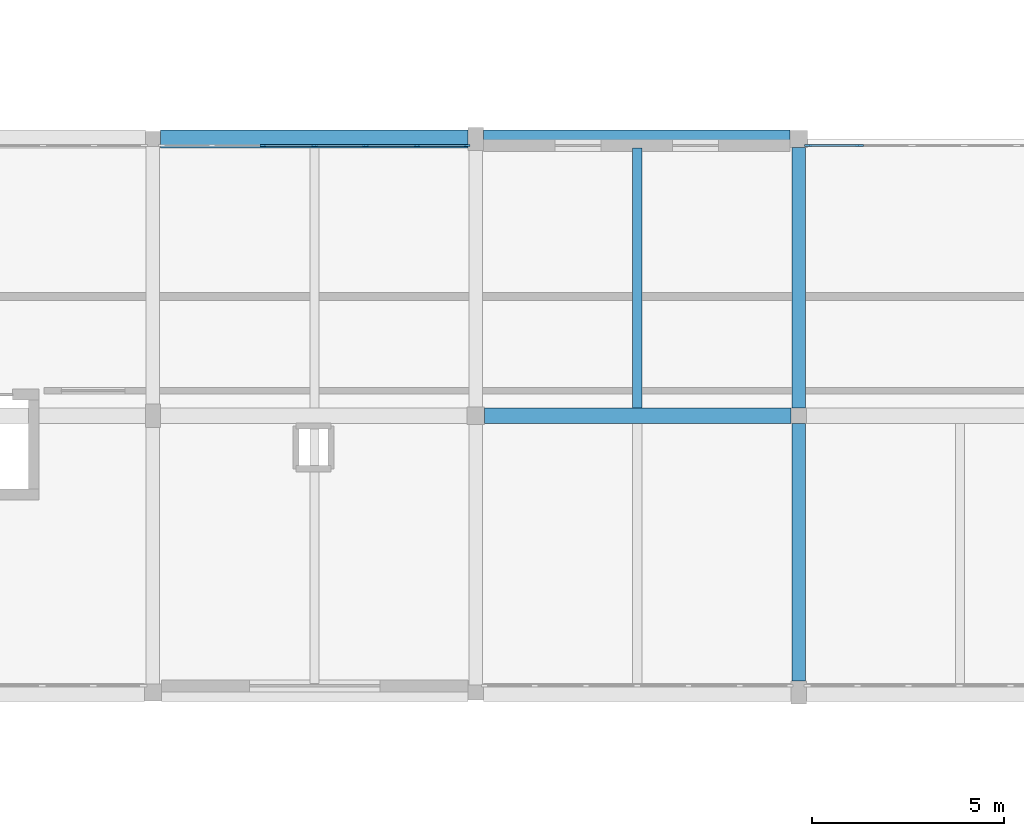
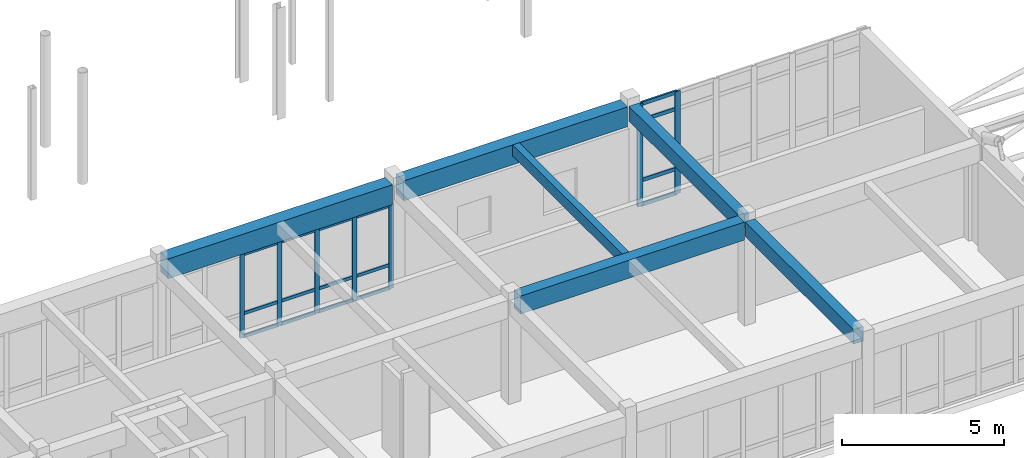
# One storey, part 46 of 89: 23 members, 6 beams, 2 elements without a shape of their own.
"""IFC4 building model written with IfcOpenShell, lengths in metres."""

from ifc_helpers import new_model, si_unit, direction, frame, origin, origin_2d, place, context, subcontext, project, spatial, rectangle, extrude, material, material_profile, profile_set, type_object, element, aggregate, save


model = new_model("IFC4")

# Units and contexts
model_context = context("Model", 3, precision=1e-05, world=origin(), true_north=direction((0.0, 1.0)))
body_context = subcontext(model_context, "Body", "Model", "MODEL_VIEW")
ifc_project = project(units=[si_unit("LENGTHUNIT", "METRE"), si_unit("AREAUNIT", "SQUARE_METRE"), si_unit("VOLUMEUNIT", "CUBIC_METRE"), si_unit("PLANEANGLEUNIT", "RADIAN"), si_unit("MASSUNIT", "GRAM", prefix="KILO")], contexts=[model_context])

# Site, building, storey
site_placement = place(None, origin())
site = spatial("IfcSite", under=ifc_project, at=site_placement, CompositionType="ELEMENT")
building_placement = place(site_placement, origin())
building = spatial("IfcBuilding", under=site, at=building_placement, Name="Malvenik Polytechnic", CompositionType="ELEMENT")
storey_placement = place(building_placement, frame((0.0, 0.0, 13.5)))
storey = spatial("IfcBuildingStorey", under=building, at=storey_placement, Name="L03", CompositionType="ELEMENT", Elevation=13.5)

# Curtain wall, members
ifc_material_1 = material(Name="Anodised aluminium 6060-T6", Category="aluminium")
curtain_wall_type_1 = type_object("IfcCurtainWallType", Name="ARC-CW-CW-02", PredefinedType="NOTDEFINED", material=ifc_material_1)
curtain_wall_1_placement = place(storey_placement, origin())
curtain_wall_1 = element("IfcCurtainWall", 1, at=curtain_wall_1_placement, inside=storey, type_object=curtain_wall_type_1, Name="Unitised Curtain Wall CW-02 L03 #191", PredefinedType="NOTDEFINED")
ifc_material_2 = material(Name="Anodised aluminium", Category="aluminium")
ifc_material_profile_1 = material_profile(ifc_material_2, rectangle(XDim=0.06005859375, YDim=0.159912109375, at=origin_2d()), Name="ALU MULLION 60x160")
ifc_profile_set_1 = profile_set([ifc_material_profile_1], Name="Anodised aluminium")
member_type_1 = type_object("IfcMemberType", Name="ARC-CWM-160", PredefinedType="MULLION", material=ifc_profile_set_1)
member_1_placement = place(storey_placement, frame((112.06591796875, 93.429931640625, 0.0), z_axis=(0.0, 0.0, 1.0), x_axis=(0.0, 1.0, 0.0)))
member_1 = element("IfcMember", 2, at=member_1_placement, type_object=member_type_1, Name="CW-02 mullion 3", PredefinedType="MULLION", context=body_context, shape_type="SweptSolid", body=[
    extrude(rectangle(XDim=0.06005859375, YDim=0.159912109375, at=origin_2d()), origin(), (0.0, 0.0, 1.0), 3.159912109375),
])
member_2_placement = place(storey_placement, frame((113.39990234375, 93.429931640625, 0.0), z_axis=(0.0, 0.0, 1.0), x_axis=(0.0, 1.0, 0.0)))
member_2 = element("IfcMember", 3, at=member_2_placement, type_object=member_type_1, Name="CW-02 mullion 4", PredefinedType="MULLION", context=body_context, shape_type="SweptSolid", body=[
    extrude(rectangle(XDim=0.06005859375, YDim=0.159912109375, at=origin_2d()), origin(), (0.0, 0.0, 1.0), 3.159912109375),
])
member_3_placement = place(storey_placement, frame((114.73388671875, 93.429931640625, 0.0), z_axis=(0.0, 0.0, 1.0), x_axis=(0.0, 1.0, 0.0)))
member_3 = element("IfcMember", 4, at=member_3_placement, type_object=member_type_1, Name="CW-02 mullion 5", PredefinedType="MULLION", context=body_context, shape_type="SweptSolid", body=[
    extrude(rectangle(XDim=0.06005859375, YDim=0.159912109375, at=origin_2d()), origin(), (0.0, 0.0, 1.0), 3.159912109375),
])
member_4_placement = place(storey_placement, frame((116.068115234375, 93.429931640625, 0.0), z_axis=(0.0, 0.0, 1.0), x_axis=(0.0, 1.0, 0.0)))
member_4 = element("IfcMember", 5, at=member_4_placement, type_object=member_type_1, Name="CW-02 mullion 6", PredefinedType="MULLION", context=body_context, shape_type="SweptSolid", body=[
    extrude(rectangle(XDim=0.06005859375, YDim=0.159912109375, at=origin_2d()), origin(), (0.0, 0.0, 1.0), 3.159912109375),
])
member_5_placement = place(storey_placement, frame((117.3720703125, 93.429931640625, 0.0), z_axis=(0.0, 0.0, 1.0), x_axis=(0.0, 1.0, 0.0)))
member_5 = element("IfcMember", 6, at=member_5_placement, type_object=member_type_1, Name="CW-02 mullion 7", PredefinedType="MULLION", context=body_context, shape_type="SweptSolid", body=[
    extrude(rectangle(XDim=0.06005859375, YDim=0.159912109375, at=origin_2d()), origin(), (0.0, 0.0, 1.0), 3.159912109375),
])

curtain_wall_type_2 = type_object("IfcCurtainWallType", Name="ARC-CW-CW-01", PredefinedType="NOTDEFINED", material=ifc_material_1)
curtain_wall_2_placement = place(storey_placement, origin())
curtain_wall_2 = element("IfcCurtainWall", 7, at=curtain_wall_2_placement, inside=storey, type_object=curtain_wall_type_2, Name="Unitised Curtain Wall CW-01 L03 #192", PredefinedType="NOTDEFINED")
ifc_material_profile_2 = material_profile(ifc_material_2, rectangle(XDim=0.06005859375, YDim=0.199951171875, at=origin_2d()), Name="ALU MULLION 60x200")
ifc_profile_set_2 = profile_set([ifc_material_profile_2], Name="Anodised aluminium")
member_type_2 = type_object("IfcMemberType", Name="ARC-CWM-200", PredefinedType="MULLION", material=ifc_profile_set_2)
member_6_placement = place(storey_placement, frame((126.2529296875, 93.429931640625, 0.0), z_axis=(0.0, 0.0, 1.0), x_axis=(0.0, 1.0, 0.0)))
member_6 = element("IfcMember", 8, at=member_6_placement, type_object=member_type_2, Name="CW-01 mullion 1", PredefinedType="MULLION", context=body_context, shape_type="SweptSolid", body=[
    extrude(rectangle(XDim=0.06005859375, YDim=0.199951171875, at=origin_2d()), origin(), (0.0, 0.0, 1.0), 3.860107421875),
])
member_7_placement = place(storey_placement, frame((127.5859375, 93.429931640625, 0.0), z_axis=(0.0, 0.0, 1.0), x_axis=(0.0, 1.0, 0.0)))
member_7 = element("IfcMember", 9, at=member_7_placement, type_object=member_type_2, Name="CW-01 mullion 2", PredefinedType="MULLION", context=body_context, shape_type="SweptSolid", body=[
    extrude(rectangle(XDim=0.06005859375, YDim=0.199951171875, at=origin_2d()), origin(), (0.0, 0.0, 1.0), 3.860107421875),
])

# Member
ifc_material_profile_3 = material_profile(ifc_material_2, rectangle(XDim=0.06005859375, YDim=0.1201171875, at=origin_2d()), Name="ALU TRANSOM 60x120")
ifc_profile_set_3 = profile_set([ifc_material_profile_3], Name="Anodised aluminium")
member_type_3 = type_object("IfcMemberType", Name="ARC-CWT-120", PredefinedType="USERDEFINED", material=ifc_profile_set_3)
member_8_placement = place(storey_placement, frame((112.095947265625, 93.429931640625, 0.030029296875), z_axis=(1.0, 0.0, 0.0), x_axis=(0.0, 1.0, 0.0)))
member_8 = element("IfcMember", 10, at=member_8_placement, type_object=member_type_3, Name="CW-02 transom 3.1", ObjectType="TRANSOM", PredefinedType="USERDEFINED", context=body_context, shape_type="SweptSolid", body=[
    extrude(rectangle(XDim=0.06005859375, YDim=0.1201171875, at=origin_2d()), origin(), (0.0, 0.0, 1.0), 1.274169921875),
])

member_9_placement = place(storey_placement, frame((112.095947265625, 93.429931640625, 0.89990234375), z_axis=(1.0, 0.0, 0.0), x_axis=(0.0, 1.0, 0.0)))
member_9 = element("IfcMember", 11, at=member_9_placement, type_object=member_type_3, Name="CW-02 transom 3.2", ObjectType="TRANSOM", PredefinedType="USERDEFINED", context=body_context, shape_type="SweptSolid", body=[
    extrude(rectangle(XDim=0.06005859375, YDim=0.1201171875, at=origin_2d()), origin(), (0.0, 0.0, 1.0), 1.274169921875),
])

member_10_placement = place(storey_placement, frame((112.095947265625, 93.429931640625, 3.1298828125), z_axis=(1.0, 0.0, 0.0), x_axis=(0.0, 1.0, 0.0)))
member_10 = element("IfcMember", 12, at=member_10_placement, type_object=member_type_3, Name="CW-02 transom 3.3", ObjectType="TRANSOM", PredefinedType="USERDEFINED", context=body_context, shape_type="SweptSolid", body=[
    extrude(rectangle(XDim=0.06005859375, YDim=0.1201171875, at=origin_2d()), origin(), (0.0, 0.0, 1.0), 1.274169921875),
])

member_11_placement = place(storey_placement, frame((113.429931640625, 93.429931640625, 0.030029296875), z_axis=(1.0, 0.0, 0.0), x_axis=(0.0, 1.0, 0.0)))
member_11 = element("IfcMember", 13, at=member_11_placement, type_object=member_type_3, Name="CW-02 transom 4.1", ObjectType="TRANSOM", PredefinedType="USERDEFINED", context=body_context, shape_type="SweptSolid", body=[
    extrude(rectangle(XDim=0.06005859375, YDim=0.1201171875, at=origin_2d()), origin(), (0.0, 0.0, 1.0), 1.274169921875),
])

member_12_placement = place(storey_placement, frame((113.429931640625, 93.429931640625, 0.89990234375), z_axis=(1.0, 0.0, 0.0), x_axis=(0.0, 1.0, 0.0)))
member_12 = element("IfcMember", 14, at=member_12_placement, type_object=member_type_3, Name="CW-02 transom 4.2", ObjectType="TRANSOM", PredefinedType="USERDEFINED", context=body_context, shape_type="SweptSolid", body=[
    extrude(rectangle(XDim=0.06005859375, YDim=0.1201171875, at=origin_2d()), origin(), (0.0, 0.0, 1.0), 1.274169921875),
])

member_13_placement = place(storey_placement, frame((113.429931640625, 93.429931640625, 3.1298828125), z_axis=(1.0, 0.0, 0.0), x_axis=(0.0, 1.0, 0.0)))
member_13 = element("IfcMember", 15, at=member_13_placement, type_object=member_type_3, Name="CW-02 transom 4.3", ObjectType="TRANSOM", PredefinedType="USERDEFINED", context=body_context, shape_type="SweptSolid", body=[
    extrude(rectangle(XDim=0.06005859375, YDim=0.1201171875, at=origin_2d()), origin(), (0.0, 0.0, 1.0), 1.274169921875),
])

member_14_placement = place(storey_placement, frame((114.763916015625, 93.429931640625, 0.030029296875), z_axis=(1.0, 0.0, 0.0), x_axis=(0.0, 1.0, 0.0)))
member_14 = element("IfcMember", 16, at=member_14_placement, type_object=member_type_3, Name="CW-02 transom 5.1", ObjectType="TRANSOM", PredefinedType="USERDEFINED", context=body_context, shape_type="SweptSolid", body=[
    extrude(rectangle(XDim=0.06005859375, YDim=0.1201171875, at=origin_2d()), origin(), (0.0, 0.0, 1.0), 1.274169921875),
])

member_15_placement = place(storey_placement, frame((114.763916015625, 93.429931640625, 0.89990234375), z_axis=(1.0, 0.0, 0.0), x_axis=(0.0, 1.0, 0.0)))
member_15 = element("IfcMember", 17, at=member_15_placement, type_object=member_type_3, Name="CW-02 transom 5.2", ObjectType="TRANSOM", PredefinedType="USERDEFINED", context=body_context, shape_type="SweptSolid", body=[
    extrude(rectangle(XDim=0.06005859375, YDim=0.1201171875, at=origin_2d()), origin(), (0.0, 0.0, 1.0), 1.274169921875),
])

member_16_placement = place(storey_placement, frame((114.763916015625, 93.429931640625, 3.1298828125), z_axis=(1.0, 0.0, 0.0), x_axis=(0.0, 1.0, 0.0)))
member_16 = element("IfcMember", 18, at=member_16_placement, type_object=member_type_3, Name="CW-02 transom 5.3", ObjectType="TRANSOM", PredefinedType="USERDEFINED", context=body_context, shape_type="SweptSolid", body=[
    extrude(rectangle(XDim=0.06005859375, YDim=0.1201171875, at=origin_2d()), origin(), (0.0, 0.0, 1.0), 1.274169921875),
])

member_17_placement = place(storey_placement, frame((116.097900390625, 93.429931640625, 0.030029296875), z_axis=(1.0, 0.0, 0.0), x_axis=(0.0, 1.0, 0.0)))
member_17 = element("IfcMember", 19, at=member_17_placement, type_object=member_type_3, Name="CW-02 transom 6.1", ObjectType="TRANSOM", PredefinedType="USERDEFINED", context=body_context, shape_type="SweptSolid", body=[
    extrude(rectangle(XDim=0.06005859375, YDim=0.1201171875, at=origin_2d()), origin(), (0.0, 0.0, 1.0), 1.244140625),
])

member_18_placement = place(storey_placement, frame((116.097900390625, 93.429931640625, 0.89990234375), z_axis=(1.0, 0.0, 0.0), x_axis=(0.0, 1.0, 0.0)))
member_18 = element("IfcMember", 20, at=member_18_placement, type_object=member_type_3, Name="CW-02 transom 6.2", ObjectType="TRANSOM", PredefinedType="USERDEFINED", context=body_context, shape_type="SweptSolid", body=[
    extrude(rectangle(XDim=0.06005859375, YDim=0.1201171875, at=origin_2d()), origin(), (0.0, 0.0, 1.0), 1.244140625),
])

member_19_placement = place(storey_placement, frame((116.097900390625, 93.429931640625, 3.1298828125), z_axis=(1.0, 0.0, 0.0), x_axis=(0.0, 1.0, 0.0)))
member_19 = element("IfcMember", 21, at=member_19_placement, type_object=member_type_3, Name="CW-02 transom 6.3", ObjectType="TRANSOM", PredefinedType="USERDEFINED", context=body_context, shape_type="SweptSolid", body=[
    extrude(rectangle(XDim=0.06005859375, YDim=0.1201171875, at=origin_2d()), origin(), (0.0, 0.0, 1.0), 1.244140625),
])

aggregate(curtain_wall_1, [member_1, member_2, member_3, member_4, member_5, member_8, member_9, member_10, member_11, member_12, member_13, member_14, member_15, member_16, member_17, member_18, member_19])

ifc_material_profile_4 = material_profile(ifc_material_2, rectangle(XDim=0.06005859375, YDim=0.139892578125, at=origin_2d()), Name="ALU TRANSOM 60x140")
ifc_profile_set_4 = profile_set([ifc_material_profile_4], Name="Anodised aluminium")
member_type_4 = type_object("IfcMemberType", Name="ARC-CWT-140", PredefinedType="USERDEFINED", material=ifc_profile_set_4)
member_20_placement = place(storey_placement, frame((126.282958984375, 93.429931640625, 0.030029296875), z_axis=(1.0, 0.0, 0.0), x_axis=(0.0, 1.0, 0.0)))
member_20 = element("IfcMember", 22, at=member_20_placement, type_object=member_type_4, Name="CW-01 transom 1.1", ObjectType="TRANSOM", PredefinedType="USERDEFINED", context=body_context, shape_type="SweptSolid", body=[
    extrude(rectangle(XDim=0.06005859375, YDim=0.139892578125, at=origin_2d()), origin(), (0.0, 0.0, 1.0), 1.27294921875),
])

member_21_placement = place(storey_placement, frame((126.282958984375, 93.429931640625, 0.949951171875), z_axis=(1.0, 0.0, 0.0), x_axis=(0.0, 1.0, 0.0)))
member_21 = element("IfcMember", 23, at=member_21_placement, type_object=member_type_4, Name="CW-01 transom 1.2", ObjectType="TRANSOM", PredefinedType="USERDEFINED", context=body_context, shape_type="SweptSolid", body=[
    extrude(rectangle(XDim=0.06005859375, YDim=0.139892578125, at=origin_2d()), origin(), (0.0, 0.0, 1.0), 1.27294921875),
])

member_22_placement = place(storey_placement, frame((126.282958984375, 93.429931640625, 3.2099609375), z_axis=(1.0, 0.0, 0.0), x_axis=(0.0, 1.0, 0.0)))
member_22 = element("IfcMember", 24, at=member_22_placement, type_object=member_type_4, Name="CW-01 transom 1.3", ObjectType="TRANSOM", PredefinedType="USERDEFINED", context=body_context, shape_type="SweptSolid", body=[
    extrude(rectangle(XDim=0.06005859375, YDim=0.139892578125, at=origin_2d()), origin(), (0.0, 0.0, 1.0), 1.27294921875),
])

member_23_placement = place(storey_placement, frame((126.282958984375, 93.429931640625, 3.830078125), z_axis=(1.0, 0.0, 0.0), x_axis=(0.0, 1.0, 0.0)))
member_23 = element("IfcMember", 25, at=member_23_placement, type_object=member_type_4, Name="CW-01 transom 1.4", ObjectType="TRANSOM", PredefinedType="USERDEFINED", context=body_context, shape_type="SweptSolid", body=[
    extrude(rectangle(XDim=0.06005859375, YDim=0.139892578125, at=origin_2d()), origin(), (0.0, 0.0, 1.0), 1.27294921875),
])

aggregate(curtain_wall_2, [member_6, member_7, member_20, member_21, member_22, member_23])

# Beams
ifc_material_3 = material(Name="Concrete C35/45", Category="concrete")
ifc_material_profile_5 = material_profile(ifc_material_3, rectangle(XDim=0.39990234375, YDim=0.679931640625, at=origin_2d()), Name="RC BM 400x680")
ifc_profile_set_5 = profile_set([ifc_material_profile_5], Name="Concrete C35/45")
beam_type_1 = type_object("IfcBeamType", Name="STR-BM-B-05", PredefinedType="BEAM", material=ifc_profile_set_5)
beam_1_placement = place(storey_placement, frame((117.822998046875, 86.39990234375, 3.580078125), z_axis=(1.0, 0.0, 0.0), x_axis=(0.0, 1.0, 0.0)))
element("IfcBeam", 26, at=beam_1_placement, inside=storey, type_object=beam_type_1, Name="Primary Beam B-05 L03 #1660", PredefinedType="BEAM", context=body_context, shape_type="SweptSolid", body=[
    extrude(rectangle(XDim=0.39990234375, YDim=0.679931640625, at=origin_2d()), origin(), (0.0, 0.0, 1.0), 7.97900390625),
])
ifc_material_profile_6 = material_profile(ifc_material_3, rectangle(XDim=0.35009765625, YDim=0.550048828125, at=origin_2d()), Name="RC BM 350x550")
ifc_profile_set_6 = profile_set([ifc_material_profile_6], Name="Concrete C35/45")
beam_type_2 = type_object("IfcBeamType", Name="STR-BM-B-08", PredefinedType="BEAM", material=ifc_profile_set_6)
beam_2_placement = place(storey_placement, frame((126.0, 79.498046875, 3.64501953125), z_axis=(0.0, 1.0, 0.0), x_axis=(-1.0, 0.0, 0.0)))
element("IfcBeam", 27, at=beam_2_placement, inside=storey, type_object=beam_type_2, Name="Transverse Beam B-08 L03 #1776", PredefinedType="BEAM", context=body_context, shape_type="SweptSolid", body=[
    extrude(rectangle(XDim=0.35009765625, YDim=0.550048828125, at=origin_2d()), origin(), (0.0, 0.0, 1.0), 6.703857421875),
])
beam_3_placement = place(storey_placement, frame((126.0, 86.597900390625, 3.64501953125), z_axis=(0.0, 1.0, 0.0), x_axis=(-1.0, 0.0, 0.0)))
element("IfcBeam", 28, at=beam_3_placement, inside=storey, type_object=beam_type_2, Name="Transverse Beam B-08 L03 #1777", PredefinedType="BEAM", context=body_context, shape_type="SweptSolid", body=[
    extrude(rectangle(XDim=0.35009765625, YDim=0.550048828125, at=origin_2d()), origin(), (0.0, 0.0, 1.0), 6.779052734375),
])
ifc_material_4 = material(Name="Concrete C30/37", Category="concrete")
ifc_material_profile_7 = material_profile(ifc_material_4, rectangle(XDim=0.239990234375, YDim=0.419921875, at=origin_2d()), Name="RC JST 240x420")
ifc_profile_set_7 = profile_set([ifc_material_profile_7], Name="Concrete C30/37")
beam_type_3 = type_object("IfcBeamType", Name="STR-BM-J-03", PredefinedType="JOIST", material=ifc_profile_set_7)
beam_4_placement = place(storey_placement, frame((121.800048828125, 86.597900390625, 3.7099609375), z_axis=(0.0, 1.0, 0.0), x_axis=(-1.0, 0.0, 0.0)))
element("IfcBeam", 29, at=beam_4_placement, inside=storey, type_object=beam_type_3, Name="Secondary Rib Joist J-03 L03 #1821", PredefinedType="JOIST", context=body_context, shape_type="SweptSolid", body=[
    extrude(rectangle(XDim=0.239990234375, YDim=0.419921875, at=origin_2d()), origin(), (0.0, 0.0, 1.0), 6.774169921875),
])
ifc_material_5 = material(Name="Precast concrete C40/50", Category="concrete")
ifc_material_profile_8 = material_profile(ifc_material_5, rectangle(XDim=0.4599609375, YDim=0.75, at=origin_2d()), Name="PC SPN 460x750")
ifc_profile_set_8 = profile_set([ifc_material_profile_8], Name="Precast concrete C40/50")
beam_type_4 = type_object("IfcBeamType", Name="STR-BM-SP-02", PredefinedType="SPANDREL", material=ifc_profile_set_8)
beam_5_placement = place(storey_placement, frame((109.39794921875, 93.60009765625, 3.544921875), z_axis=(1.0, 0.0, 0.0), x_axis=(0.0, 1.0, 0.0)))
element("IfcBeam", 30, at=beam_5_placement, inside=storey, type_object=beam_type_4, Name="Primary Beam SP-02 L03 #1675", PredefinedType="SPANDREL", context=body_context, shape_type="SweptSolid", body=[
    extrude(rectangle(XDim=0.4599609375, YDim=0.75, at=origin_2d()), origin(), (0.0, 0.0, 1.0), 8.004150390625),
])
beam_6_placement = place(storey_placement, frame((117.798095703125, 93.60009765625, 3.544921875), z_axis=(1.0, 0.0, 0.0), x_axis=(0.0, 1.0, 0.0)))
element("IfcBeam", 31, at=beam_6_placement, inside=storey, type_object=beam_type_4, Name="Primary Beam SP-02 L03 #1676", PredefinedType="SPANDREL", context=body_context, shape_type="SweptSolid", body=[
    extrude(rectangle(XDim=0.4599609375, YDim=0.75, at=origin_2d()), origin(), (0.0, 0.0, 1.0), 7.97900390625),
])

save(model, "model.ifc")
